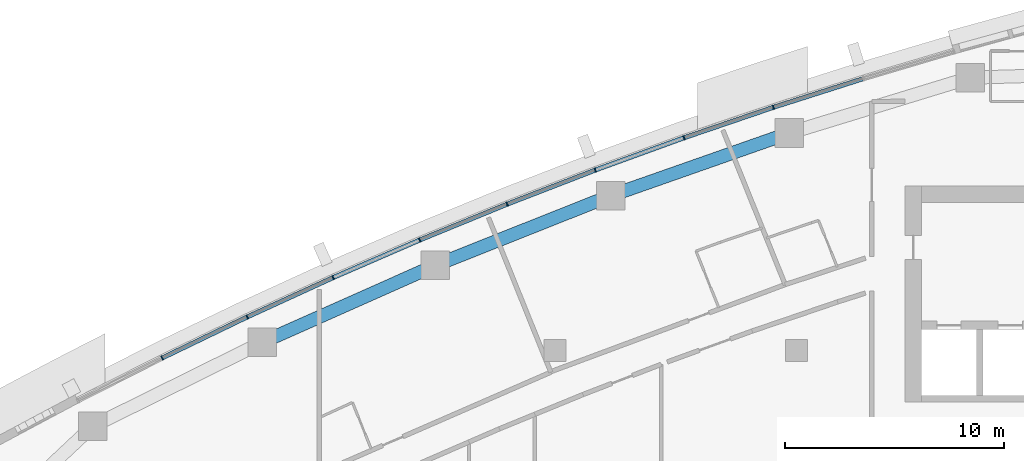
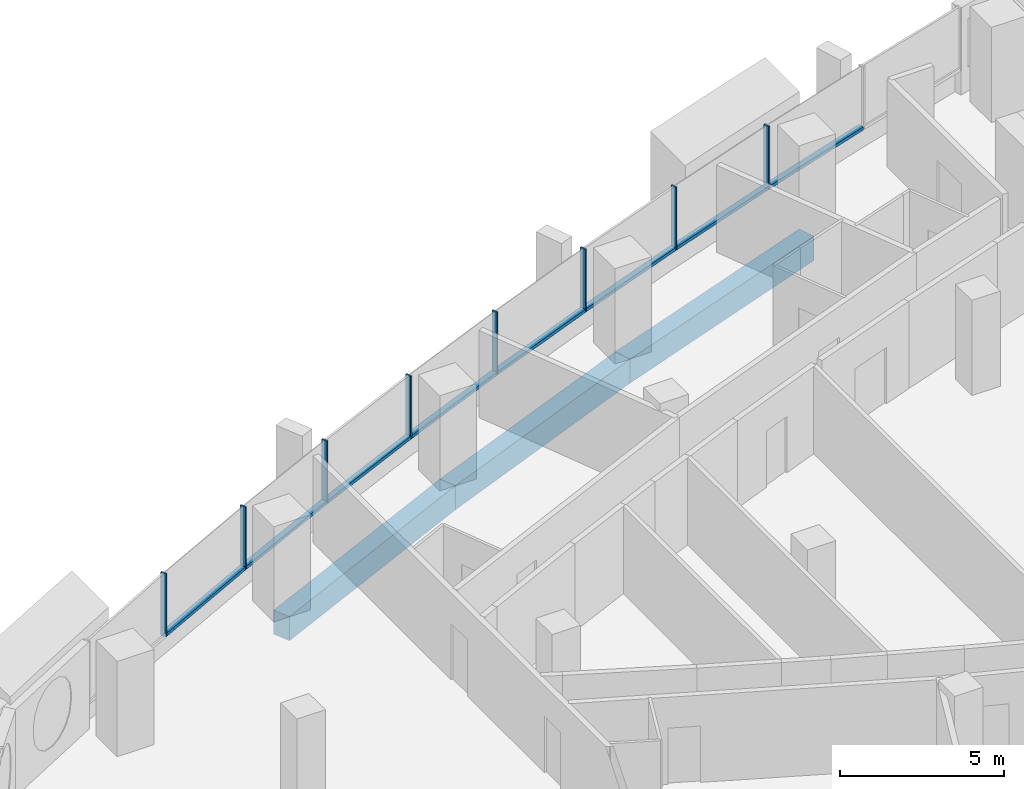
# One storey, part 6 of 16: 16 members, 3 beams, 5 elements without a shape of their own.
"""IFC4 building model written with IfcOpenShell, lengths in metres."""

import ifcopenshell
import ifcopenshell.guid

model = None  # the IFC model being written
_history = None  # IfcOwnerHistory: only IFC2X3 demands one
_inside = {}  # id of a spatial element -> (the spatial element, [elements in it])
_under = {}  # id of a project, library or spatial element -> (it, [spatial elements below it])
_declared = {}  # id of a project -> (the project, [libraries it declares])
_typed = {}  # id of a type object -> (the type object, [elements of that type])
_made_of = {}  # id of a material, layer set ... -> (it, [elements and type objects made of it])


def new_model(schema):
    """Start an empty IFC model of exactly this schema.

    Asked for "IFC4X3", IfcOpenShell would pick the latest addendum, in which some entities
    have other attributes; the version numbers below select the first issue.
    IFC2X3 requires an IfcOwnerHistory on every rooted entity: one is made here for all.
    """
    global model, _history
    if schema == "IFC4X3":
        model = ifcopenshell.file(schema_version=(4, 3, 0, 0))
    else:
        model = ifcopenshell.file(schema=schema)
    _inside.clear()
    _under.clear()
    _declared.clear()
    _typed.clear()
    _made_of.clear()
    _history = None
    if model.schema == "IFC2X3":
        org = make("IfcOrganization", Name="unknown")
        user = make(
            "IfcPersonAndOrganization",
            ThePerson=make("IfcPerson", FamilyName="unknown"),
            TheOrganization=org,
        )
        app = make(
            "IfcApplication",
            ApplicationDeveloper=org,
            Version="unknown",
            ApplicationFullName="unknown",
            ApplicationIdentifier="unknown",
        )
        _history = make(
            "IfcOwnerHistory",
            OwningUser=user,
            OwningApplication=app,
            ChangeAction="ADDED",
            CreationDate=0,
        )
    return model


def make(cls, **values):
    """One entity of the class cls with the attributes given. An attribute that is None is left unset."""
    return model.create_entity(
        cls, **{name: value for name, value in values.items() if value is not None}
    )


def rooted(cls, **values):
    """An entity with a GlobalId (a new one), such as an element, a storey or a relation."""
    return make(cls, GlobalId=ifcopenshell.guid.new(), OwnerHistory=_history, **values)


def si_unit(unit_type, name, prefix=None):
    """IfcSIUnit, for example si_unit("LENGTHUNIT", "METRE", prefix="MILLI")."""
    return make("IfcSIUnit", UnitType=unit_type, Prefix=prefix, Name=name)


def assignment(units):
    """IfcUnitAssignment: the units of a project."""
    return None if units is None else make("IfcUnitAssignment", Units=units)


def point(xyz):
    """IfcCartesianPoint."""
    return None if xyz is None else make("IfcCartesianPoint", Coordinates=xyz)


def direction(xyz):
    """IfcDirection."""
    return None if xyz is None else make("IfcDirection", DirectionRatios=xyz)


def frame(location, z_axis=None, x_axis=None):
    """IfcAxis2Placement3D, a coordinate frame: its origin and axes. An axis left out is left unset."""
    return make(
        "IfcAxis2Placement3D",
        Location=point(location),
        Axis=direction(z_axis),
        RefDirection=direction(x_axis),
    )


def frame_2d(location, x_axis=None):
    """IfcAxis2Placement2D, a coordinate frame in the plane: its origin and x axis."""
    return make(
        "IfcAxis2Placement2D", Location=point(location), RefDirection=direction(x_axis)
    )


def origin():
    """The frame at (0, 0, 0) with its axes left unset."""
    return frame((0.0, 0.0, 0.0))


def origin_2d():
    """The frame at (0, 0) in the plane with its x axis left unset."""
    return frame_2d((0.0, 0.0))


def place(relative_to, where):
    """IfcLocalPlacement: puts the frame where relative to a parent placement (None: the world)."""
    return make(
        "IfcLocalPlacement", PlacementRelTo=relative_to, RelativePlacement=where
    )


def context(
    kind, dimensions, precision=None, world=None, true_north=None, identifier=None
):
    """IfcGeometricRepresentationContext, for example the 3D "Model" context."""
    return make(
        "IfcGeometricRepresentationContext",
        ContextIdentifier=identifier,
        ContextType=kind,
        CoordinateSpaceDimension=dimensions,
        Precision=precision,
        WorldCoordinateSystem=world,
        TrueNorth=true_north,
    )


def subcontext(parent, identifier, kind, view, scale=None):
    """IfcGeometricRepresentationSubContext, for example "Body" below "Model"."""
    return make(
        "IfcGeometricRepresentationSubContext",
        ContextIdentifier=identifier,
        ContextType=kind,
        ParentContext=parent,
        TargetScale=scale,
        TargetView=view,
    )


def project(units=None, contexts=None):
    """IfcProject with its units and contexts."""
    return rooted(
        "IfcProject",
        Name="project",
        RepresentationContexts=contexts,
        UnitsInContext=assignment(units),
    )


def spatial(cls, under=None, at=None, **own):
    """A site, building, storey or space (cls), placed at a placement, below another one or the project."""
    s = rooted(cls, ObjectPlacement=at, **own)
    if under is not None:
        _under.setdefault(under.id(), (under, []))[1].append(s)
    return s


def profile(cls, at=None, kind="AREA", **sizes):
    """A parametric profile (cls). Its sizes go by their IFC names, for example OverallWidth=200.0."""
    return make(cls, ProfileType=kind, Position=at, **sizes)


def rectangle(**sizes):
    """IfcRectangleProfileDef."""
    return profile("IfcRectangleProfileDef", **sizes)


def extrude(swept, where, along, depth):
    """IfcExtrudedAreaSolid: the profile swept, set in the frame where, extruded along a direction by depth."""
    return make(
        "IfcExtrudedAreaSolid",
        SweptArea=swept,
        Position=where,
        ExtrudedDirection=direction(along),
        Depth=depth,
    )


def shape(context_of_items, identifier, shape_type, items):
    """IfcShapeRepresentation: the items that make up one representation, for example the "Body"."""
    return make(
        "IfcShapeRepresentation",
        ContextOfItems=context_of_items,
        RepresentationIdentifier=identifier,
        RepresentationType=shape_type,
        Items=items,
    )


def material(Name=None, Category=None):
    """IfcMaterial."""
    return make("IfcMaterial", Name=Name, Category=Category)


def layer(
    of_material, thickness, ventilated=None, Name=None, Category=None, Priority=None
):
    """IfcMaterialLayer: one layer of a wall or slab, of a material (None: an air gap)."""
    return make(
        "IfcMaterialLayer",
        Material=of_material,
        LayerThickness=thickness,
        IsVentilated=ventilated,
        Name=Name,
        Category=Category,
        Priority=Priority,
    )


def layer_set(layers, Name=None):
    """IfcMaterialLayerSet."""
    return make("IfcMaterialLayerSet", MaterialLayers=layers, LayerSetName=Name)


def material_profile(
    of_material, cross_section, Name=None, Category=None, Priority=None
):
    """IfcMaterialProfile: a cross section and its material."""
    return make(
        "IfcMaterialProfile",
        Name=Name,
        Material=of_material,
        Profile=cross_section,
        Priority=Priority,
        Category=Category,
    )


def profile_set(profiles, Name=None, composite=None):
    """IfcMaterialProfileSet."""
    return make(
        "IfcMaterialProfileSet",
        Name=Name,
        MaterialProfiles=profiles,
        CompositeProfile=composite,
    )


def made_of(thing, what):
    """Note that an element or type object is made of a material, layer set ...; save() writes the relation."""
    if what is not None:
        _made_of.setdefault(what.id(), (what, []))[1].append(thing)
    return thing


def type_object(cls, material=None, **own):
    """A type object (cls), such as IfcWallType, which elements share."""
    return made_of(rooted(cls, **own), material)


def element(
    cls,
    number,
    at=None,
    inside=None,
    cuts=None,
    type_object=None,
    material=None,
    context=None,
    identifier="Body",
    shape_type=None,
    held_by="IfcProductDefinitionShape",
    body=None,
    shapes=None,
    **own,
):
    """One element of the class cls, such as IfcWall. Its Tag is "e" and its number.

    at: its placement. inside: the storey or other place that contains it. cuts: it is an
    opening in that element (IfcRelVoidsElement). A single representation is given by context,
    identifier, shape_type and body (its items); several are given by shapes. held_by: the class
    of the entity that holds the representations. save() writes the other relations.
    """
    e = rooted(cls, Tag="e%d" % number, ObjectPlacement=at, **own)
    if body is not None:
        shapes = [shape(context, identifier, shape_type, body)]
    if shapes is not None:
        e.Representation = make(held_by, Representations=shapes)
    if inside is not None:
        _inside.setdefault(inside.id(), (inside, []))[1].append(e)
    if cuts is not None:
        rooted(
            "IfcRelVoidsElement", RelatingBuildingElement=cuts, RelatedOpeningElement=e
        )
    if type_object is not None:
        _typed.setdefault(type_object.id(), (type_object, []))[1].append(e)
    return made_of(e, material)


def aggregate(whole, parts):
    """IfcRelAggregates: a whole, such as a stair, and the parts it consists of."""
    return rooted("IfcRelAggregates", RelatingObject=whole, RelatedObjects=parts)


def save(model, path):
    """Write the relations noted so far, then the file.

    IfcRelAggregates (storeys below a building ...), IfcRelContainedInSpatialStructure (elements
    in a storey), IfcRelDefinesByType, IfcRelAssociatesMaterial and IfcRelDeclares: one each for
    every whole, place, type object, material and project.
    """
    for whole, parts in _under.values():
        aggregate(whole, parts)
    for where, things in _inside.values():
        rooted(
            "IfcRelContainedInSpatialStructure",
            RelatedElements=things,
            RelatingStructure=where,
        )
    for kind, things in _typed.values():
        rooted("IfcRelDefinesByType", RelatedObjects=things, RelatingType=kind)
    for what, things in _made_of.values():
        rooted("IfcRelAssociatesMaterial", RelatedObjects=things, RelatingMaterial=what)
    for by, libraries in _declared.values():
        rooted("IfcRelDeclares", RelatingContext=by, RelatedDefinitions=libraries)
    model.write(path)


model = new_model("IFC4")

# Units and contexts
model_context = context("Model", 3, precision=1e-05, world=origin(), true_north=direction((0.0, 1.0)))
body_context = subcontext(model_context, "Body", "Model", "MODEL_VIEW")
ifc_project = project(units=[si_unit("LENGTHUNIT", "METRE"), si_unit("AREAUNIT", "SQUARE_METRE"), si_unit("VOLUMEUNIT", "CUBIC_METRE"), si_unit("PLANEANGLEUNIT", "RADIAN"), si_unit("MASSUNIT", "GRAM", prefix="KILO")], contexts=[model_context])

# Site, building, storey
site_placement = place(None, origin())
site = spatial("IfcSite", under=ifc_project, at=site_placement, CompositionType="ELEMENT")
building_placement = place(site_placement, origin())
building = spatial("IfcBuilding", under=site, at=building_placement, Name="Ostrand Prow Hotel Tower", CompositionType="ELEMENT")
storey_placement = place(building_placement, frame((0.0, 0.0, 186.14990234375)))
storey = spatial("IfcBuildingStorey", under=building, at=storey_placement, Name="L46", CompositionType="ELEMENT", Elevation=186.14990234375)

# Beams
ifc_material_1 = material(Name="Concrete C60/75", Category="concrete")
ifc_material_profile_1 = material_profile(ifc_material_1, rectangle(XDim=0.60009765625, YDim=0.89990234375, at=origin_2d()), Name="RC 600x900")
ifc_profile_set_1 = profile_set([ifc_material_profile_1], Name="Concrete C60/75")
beam_type = type_object("IfcBeamType", Name="Edge beam 600x900 C60/75", PredefinedType="SPANDREL", material=ifc_profile_set_1)
for number, where, z_axis, x_axis, name in (
    (1, (44.6826171875, 18.91552734375, -0.75), (-0.943593618681, -0.33110584831, 0.0), (0.33110584831, -0.943593618681, 0.0), "Edge beam N2-N3"),
    (2, (36.547119140625, 16.060791015625, -0.75), (-0.929376173753, -0.36913402398, 0.0), (0.36913402398, -0.929376173753, 0.0), "Edge beam N3-N4"),
    (3, (28.5341796875, 12.878173828125, -0.75), (-0.91364332073, -0.406516767779, 0.0), (0.406516767779, -0.91364332073, 0.0), "Edge beam N4-N5"),
):
    element("IfcBeam", number, at=place(storey_placement, frame(where, z_axis=z_axis, x_axis=x_axis)), inside=storey, type_object=beam_type, Name=name, PredefinedType="SPANDREL", context=body_context, shape_type="SweptSolid", body=[
        extrude(rectangle(XDim=0.60009765625, YDim=0.89990234375, at=origin_2d()), origin(), (0.0, 0.0, 1.0), 8.621826171875),
    ])

# Curtain wall, member
ifc_material_2 = material(Name="Insulated glass in bronze anodised frame", Category="glass")
ifc_layer = layer(ifc_material_2, 0.199951171875)
ifc_layer_set = layer_set([ifc_layer], Name="Insulated glass in bronze anodised frame")
curtain_wall_type = type_object("IfcCurtainWallType", Name="Strip curtain wall, fritted glass over bronze spandrel", PredefinedType="NOTDEFINED", material=ifc_layer_set)
curtain_wall_1_placement = place(storey_placement, origin())
curtain_wall_1 = element("IfcCurtainWall", 4, at=curtain_wall_1_placement, inside=storey, type_object=curtain_wall_type, Name="CW1 run CWN1", PredefinedType="NOTDEFINED")
ifc_material_3 = material(Name="Bronze anodised aluminium", Category="aluminium")
ifc_material_profile_2 = material_profile(ifc_material_3, rectangle(XDim=0.199951171875, YDim=0.06005859375, at=origin_2d()), Name="Mullion 60x200 bronze anodised aluminium")
ifc_profile_set_2 = profile_set([ifc_material_profile_2], Name="Bronze anodised aluminium")
member_type_1 = type_object("IfcMemberType", Name="Mullion 60x200 bronze anodised aluminium", PredefinedType="MULLION", material=ifc_profile_set_2)
member_1_placement = place(storey_placement, frame((43.95361328125, 20.086669921875, 0.900146484375), z_axis=(0.0, 0.0, 1.0), x_axis=(0.303786970008, -0.952739983864, 0.0)))
member_1 = element("IfcMember", 5, at=member_1_placement, type_object=member_type_1, Name="CW1 mullion 3", PredefinedType="MULLION", context=body_context, shape_type="SweptSolid", body=[
    extrude(rectangle(XDim=0.199951171875, YDim=0.06005859375, at=origin_2d()), origin(), (0.0, 0.0, 1.0), 2.349853515625),
])

# Curtain wall, members
curtain_wall_2_placement = place(storey_placement, origin())
curtain_wall_2 = element("IfcCurtainWall", 6, at=curtain_wall_2_placement, inside=storey, type_object=curtain_wall_type, Name="CW1 run CWN2", PredefinedType="NOTDEFINED")
member_2_placement = place(storey_placement, frame((39.87939453125, 18.696533203125, 0.900146484375), z_axis=(0.0, 0.0, 1.0), x_axis=(0.341897134919, -0.939737383067, 0.0)))
member_2 = element("IfcMember", 7, at=member_2_placement, type_object=member_type_1, Name="CW1 mullion 2", PredefinedType="MULLION", context=body_context, shape_type="SweptSolid", body=[
    extrude(rectangle(XDim=0.199951171875, YDim=0.06005859375, at=origin_2d()), origin(), (0.0, 0.0, 1.0), 2.349853515625),
])
member_3_placement = place(storey_placement, frame((35.833740234375, 17.224609375, 0.900146484375), z_axis=(0.0, 0.0, 1.0), x_axis=(0.341897134919, -0.939737383067, 0.0)))
member_3 = element("IfcMember", 8, at=member_3_placement, type_object=member_type_1, Name="CW1 mullion 3", PredefinedType="MULLION", context=body_context, shape_type="SweptSolid", body=[
    extrude(rectangle(XDim=0.199951171875, YDim=0.06005859375, at=origin_2d()), origin(), (0.0, 0.0, 1.0), 2.349853515625),
])

curtain_wall_3_placement = place(storey_placement, origin())
curtain_wall_3 = element("IfcCurtainWall", 9, at=curtain_wall_3_placement, inside=storey, type_object=curtain_wall_type, Name="CW1 run CWN3", PredefinedType="NOTDEFINED")
member_4_placement = place(storey_placement, frame((31.818603515625, 15.671630859375, 0.900146484375), z_axis=(0.0, 0.0, 1.0), x_axis=(0.379452929936, -0.925211042932, 0.0)))
member_4 = element("IfcMember", 10, at=member_4_placement, type_object=member_type_1, Name="CW1 mullion 2", PredefinedType="MULLION", context=body_context, shape_type="SweptSolid", body=[
    extrude(rectangle(XDim=0.199951171875, YDim=0.06005859375, at=origin_2d()), origin(), (0.0, 0.0, 1.0), 2.349853515625),
])
member_5_placement = place(storey_placement, frame((27.83544921875, 14.0380859375, 0.900146484375), z_axis=(0.0, 0.0, 1.0), x_axis=(0.379452929936, -0.925211042932, 0.0)))
member_5 = element("IfcMember", 11, at=member_5_placement, type_object=member_type_1, Name="CW1 mullion 3", PredefinedType="MULLION", context=body_context, shape_type="SweptSolid", body=[
    extrude(rectangle(XDim=0.199951171875, YDim=0.06005859375, at=origin_2d()), origin(), (0.0, 0.0, 1.0), 2.349853515625),
])

curtain_wall_4_placement = place(storey_placement, origin())
curtain_wall_4 = element("IfcCurtainWall", 12, at=curtain_wall_4_placement, inside=storey, type_object=curtain_wall_type, Name="CW1 run CWN4", PredefinedType="NOTDEFINED")
member_6_placement = place(storey_placement, frame((23.885986328125, 12.32470703125, 0.900146484375), z_axis=(0.0, 0.0, 1.0), x_axis=(0.416393460127, -0.909184517226, 0.0)))
member_6 = element("IfcMember", 13, at=member_6_placement, type_object=member_type_1, Name="CW1 mullion 2", PredefinedType="MULLION", context=body_context, shape_type="SweptSolid", body=[
    extrude(rectangle(XDim=0.199951171875, YDim=0.06005859375, at=origin_2d()), origin(), (0.0, 0.0, 1.0), 2.349853515625),
])
member_7_placement = place(storey_placement, frame((19.971923828125, 10.531982421875, 0.900146484375), z_axis=(0.0, 0.0, 1.0), x_axis=(0.416393460127, -0.909184517226, 0.0)))
member_7 = element("IfcMember", 14, at=member_7_placement, type_object=member_type_1, Name="CW1 mullion 3", PredefinedType="MULLION", context=body_context, shape_type="SweptSolid", body=[
    extrude(rectangle(XDim=0.199951171875, YDim=0.06005859375, at=origin_2d()), origin(), (0.0, 0.0, 1.0), 2.349853515625),
])

# Curtain wall, member
curtain_wall_5_placement = place(storey_placement, origin())
curtain_wall_5 = element("IfcCurtainWall", 15, at=curtain_wall_5_placement, inside=storey, type_object=curtain_wall_type, Name="CW1 run CWN5", PredefinedType="NOTDEFINED")
member_8_placement = place(storey_placement, frame((16.0947265625, 8.660888671875, 0.900146484375), z_axis=(0.0, 0.0, 1.0), x_axis=(0.452658828186, -0.891683792196, 0.0)))
member_8 = element("IfcMember", 16, at=member_8_placement, type_object=member_type_1, Name="CW1 mullion 2", PredefinedType="MULLION", context=body_context, shape_type="SweptSolid", body=[
    extrude(rectangle(XDim=0.199951171875, YDim=0.06005859375, at=origin_2d()), origin(), (0.0, 0.0, 1.0), 2.349853515625),
])

# Member
ifc_material_4 = material(Name="Bronze anodised aluminium", Category="aluminium")
ifc_material_profile_3 = material_profile(ifc_material_4, rectangle(XDim=0.199951171875, YDim=0.1201171875, at=origin_2d()), Name="Transom 120x200 bronze anodised aluminium")
ifc_profile_set_3 = profile_set([ifc_material_profile_3], Name="Bronze anodised aluminium")
member_type_2 = type_object("IfcMemberType", Name="Transom 120x200 bronze anodised aluminium", PredefinedType="USERDEFINED", material=ifc_profile_set_3)
member_9_placement = place(storey_placement, frame((48.026611328125, 21.385498046875, 0.960205078125), z_axis=(-0.952737512605, -0.303794720289, 0.0), x_axis=(0.303794720289, -0.952737512605, 0.0)))
member_9 = element("IfcMember", 17, at=member_9_placement, type_object=member_type_2, Name="CW1 transom 2.1", ObjectType="TRANSOM", PredefinedType="USERDEFINED", context=body_context, shape_type="SweptSolid", body=[
    extrude(rectangle(XDim=0.199951171875, YDim=0.1201171875, at=origin_2d()), origin(), (0.0, 0.0, 1.0), 4.244873046875),
])

aggregate(curtain_wall_1, [member_1, member_9])

member_10_placement = place(storey_placement, frame((43.92529296875, 20.0771484375, 0.960205078125), z_axis=(-0.946422327772, -0.322931536852, 0.0), x_axis=(0.322931536852, -0.946422327772, 0.0)))
member_10 = element("IfcMember", 18, at=member_10_placement, type_object=member_type_2, Name="CW1 transom 1.1", ObjectType="TRANSOM", PredefinedType="USERDEFINED", context=body_context, shape_type="SweptSolid", body=[
    extrude(rectangle(XDim=0.199951171875, YDim=0.1201171875, at=origin_2d()), origin(), (0.0, 0.0, 1.0), 4.2451171875),
])

member_11_placement = place(storey_placement, frame((39.85107421875, 18.686279296875, 0.960205078125), z_axis=(-0.939753116272, -0.341853887584, 0.0), x_axis=(0.341853887584, -0.939753116272, 0.0)))
member_11 = element("IfcMember", 19, at=member_11_placement, type_object=member_type_2, Name="CW1 transom 2.1", ObjectType="TRANSOM", PredefinedType="USERDEFINED", context=body_context, shape_type="SweptSolid", body=[
    extrude(rectangle(XDim=0.199951171875, YDim=0.1201171875, at=origin_2d()), origin(), (0.0, 0.0, 1.0), 4.2451171875),
])

aggregate(curtain_wall_2, [member_2, member_3, member_10, member_11])

member_12_placement = place(storey_placement, frame((35.8056640625, 17.2138671875, 0.960205078125), z_axis=(-0.932675482501, -0.360716570651, 0.0), x_axis=(0.360716570651, -0.932675482501, 0.0)))
member_12 = element("IfcMember", 20, at=member_12_placement, type_object=member_type_2, Name="CW1 transom 1.1", ObjectType="TRANSOM", PredefinedType="USERDEFINED", context=body_context, shape_type="SweptSolid", body=[
    extrude(rectangle(XDim=0.199951171875, YDim=0.1201171875, at=origin_2d()), origin(), (0.0, 0.0, 1.0), 4.2451171875),
])

member_13_placement = place(storey_placement, frame((31.790771484375, 15.660400390625, 0.960205078125), z_axis=(-0.925213143858, -0.379447807258, 0.0), x_axis=(0.379447807258, -0.925213143858, 0.0)))
member_13 = element("IfcMember", 21, at=member_13_placement, type_object=member_type_2, Name="CW1 transom 2.1", ObjectType="TRANSOM", PredefinedType="USERDEFINED", context=body_context, shape_type="SweptSolid", body=[
    extrude(rectangle(XDim=0.199951171875, YDim=0.1201171875, at=origin_2d()), origin(), (0.0, 0.0, 1.0), 4.2451171875),
])

aggregate(curtain_wall_3, [member_4, member_5, member_12, member_13])

member_14_placement = place(storey_placement, frame((27.807861328125, 14.026123046875, 0.960205078125), z_axis=(-0.917389785482, -0.397989926371, 0.0), x_axis=(0.397989926371, -0.917389785482, 0.0)))
member_14 = element("IfcMember", 22, at=member_14_placement, type_object=member_type_2, Name="CW1 transom 1.1", ObjectType="TRANSOM", PredefinedType="USERDEFINED", context=body_context, shape_type="SweptSolid", body=[
    extrude(rectangle(XDim=0.199951171875, YDim=0.1201171875, at=origin_2d()), origin(), (0.0, 0.0, 1.0), 4.244873046875),
])

member_15_placement = place(storey_placement, frame((23.858642578125, 12.312255859375, 0.960205078125), z_axis=(-0.909159196143, -0.416448743628, 0.0), x_axis=(0.416448743628, -0.909159196143, 0.0)))
member_15 = element("IfcMember", 23, at=member_15_placement, type_object=member_type_2, Name="CW1 transom 2.1", ObjectType="TRANSOM", PredefinedType="USERDEFINED", context=body_context, shape_type="SweptSolid", body=[
    extrude(rectangle(XDim=0.199951171875, YDim=0.1201171875, at=origin_2d()), origin(), (0.0, 0.0, 1.0), 4.244873046875),
])

aggregate(curtain_wall_4, [member_6, member_7, member_14, member_15])

member_16_placement = place(storey_placement, frame((19.94482421875, 10.51904296875, 0.960205078125), z_axis=(-0.900619174345, -0.434609137965, 0.0), x_axis=(0.434609137965, -0.900619174345, 0.0)))
member_16 = element("IfcMember", 24, at=member_16_placement, type_object=member_type_2, Name="CW1 transom 1.1", ObjectType="TRANSOM", PredefinedType="USERDEFINED", context=body_context, shape_type="SweptSolid", body=[
    extrude(rectangle(XDim=0.199951171875, YDim=0.1201171875, at=origin_2d()), origin(), (0.0, 0.0, 1.0), 4.2451171875),
])

aggregate(curtain_wall_5, [member_8, member_16])

save(model, "model.ifc")
